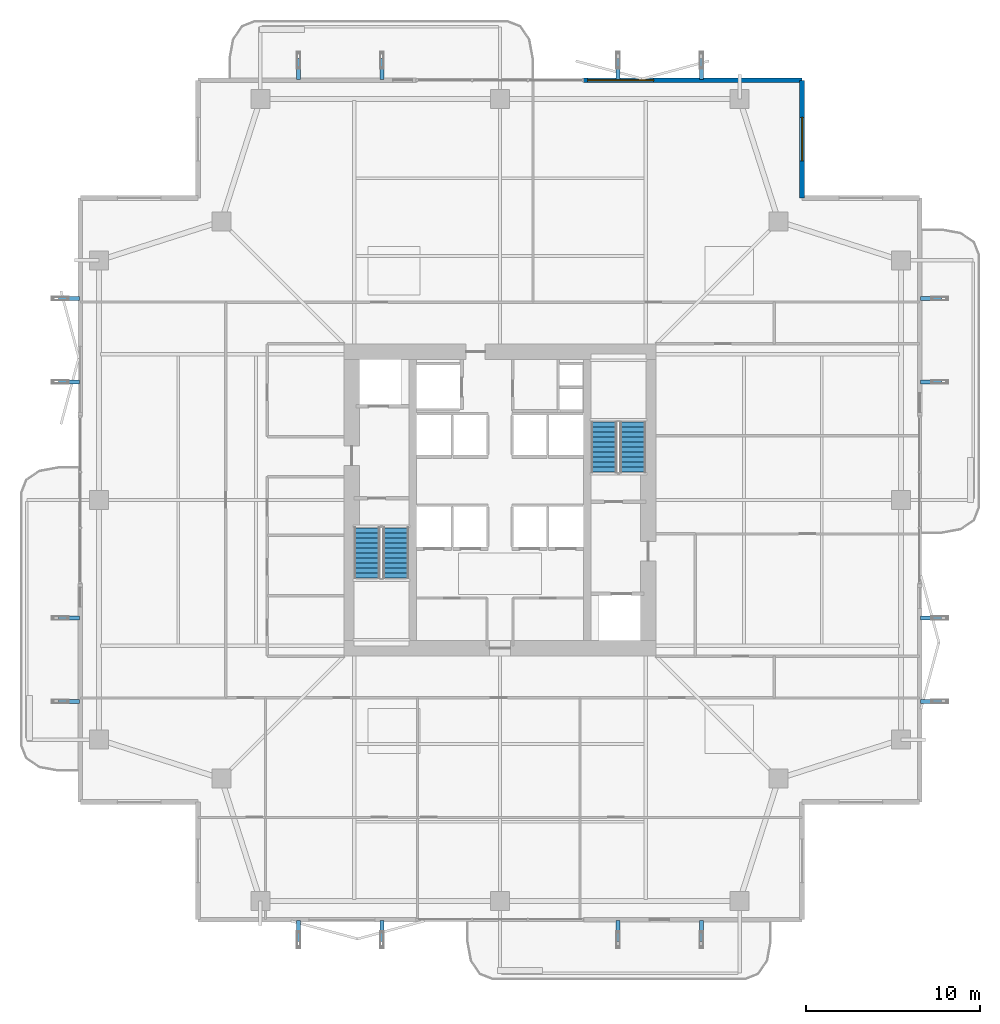
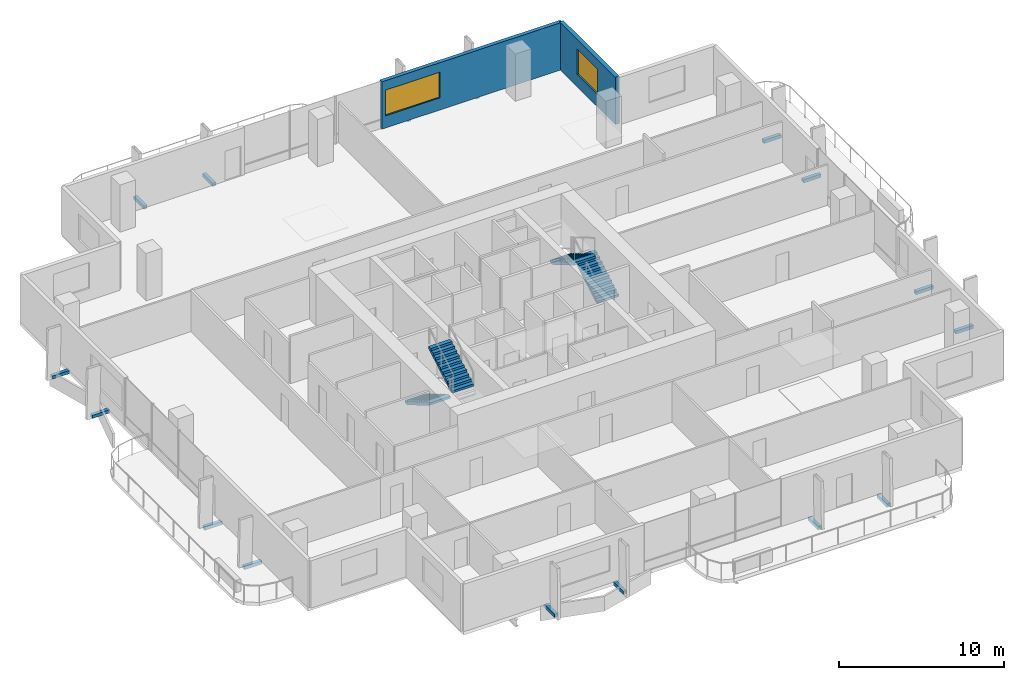
# One storey, part 21 of 24: 16 discrete accessories, 4 stair flights, 2 walls, 2 windows, 2 openings, 2 elements without a shape of their own.
"""IFC4 building model written with IfcOpenShell, lengths in metres."""

from ifc_helpers import new_model, si_unit, direction, frame, frame_2d, origin, origin_2d, place, context, subcontext, project, spatial, polyline, rectangle, outline, extrude, material, layer, layer_set, type_object, element, fill, aggregate, save


model = new_model("IFC4")

# Units and contexts
model_context = context("Model", 3, precision=1e-05, world=origin(), true_north=direction((0.0, 1.0)))
body_context = subcontext(model_context, "Body", "Model", "MODEL_VIEW")
ifc_project = project(units=[si_unit("LENGTHUNIT", "METRE"), si_unit("AREAUNIT", "SQUARE_METRE"), si_unit("VOLUMEUNIT", "CUBIC_METRE"), si_unit("PLANEANGLEUNIT", "RADIAN"), si_unit("MASSUNIT", "GRAM", prefix="KILO")], contexts=[model_context])

# Site, building, storey
site_placement = place(None, origin())
site = spatial("IfcSite", under=ifc_project, at=site_placement, CompositionType="ELEMENT")
building_placement = place(site_placement, origin())
building = spatial("IfcBuilding", under=site, at=building_placement, Name="Belovzor Exchange Tower", CompositionType="ELEMENT")
storey_placement = place(building_placement, frame((0.0, 0.0, 168.300048828125)))
storey = spatial("IfcBuildingStorey", under=building, at=storey_placement, Name="L41", CompositionType="ELEMENT", Elevation=168.300048828125)

# Wall, opening, window
ifc_material_1 = material(Name="Precast concrete C40/50", Category="concrete")
ifc_layer_1 = layer(ifc_material_1, 0.280029296875)
ifc_layer_set_1 = layer_set([ifc_layer_1], Name="Precast concrete C40/50")
wall_type_1 = type_object("IfcWallType", Name="Precast Concrete Notched Corner Frame Wall 280", PredefinedType="SOLIDWALL", material=ifc_layer_set_1)
wall_1_placement = place(storey_placement, frame((46.199951171875, 52.969970703125, 0.0), z_axis=(0.0, 0.0, 1.0), x_axis=(0.0, -1.0, 0.0)))
wall_1 = element("IfcWall", 1, at=wall_1_placement, inside=storey, type_object=wall_type_1, Name="W-CRN280 Precast Concrete Notched Corner Frame Wall 280 L41", PredefinedType="SOLIDWALL", context=body_context, shape_type="SweptSolid", body=[
    extrude(rectangle(XDim=6.77001953125, YDim=0.280029296875, at=frame_2d((3.385009765625, 0.0))), origin(), (0.0, 0.0, 1.0), 3.494873046875),
])
opening_1_placement = place(wall_1_placement, frame((2.135009765625, 0.0, 0.89990234375)))
opening_1 = element("IfcOpeningElement", 2, at=opening_1_placement, cuts=wall_1, Name="Opening WN-CRN250", PredefinedType="OPENING", context=body_context, shape_type="SweptSolid", body=[
    extrude(rectangle(XDim=2.5, YDim=1.89990234375, at=frame_2d((1.25, 0.949951171875))), frame((0.0, 0.14990234375, 0.0), z_axis=(0.0, -1.0, 0.0), x_axis=(1.0, 0.0, 0.0)), (0.0, 0.0, 1.0), 0.300048828125),
])
ifc_material_2 = material(Name="Thermally Broken Aluminium and Triple Glazing", Category="aluminium")
window_type_1 = type_object("IfcWindowType", Name="Streamline Moderne Corner Wrap Ribbon Window 2500x1900", PartitioningType="SINGLE_PANEL", PredefinedType="WINDOW", material=ifc_material_2)
window_1_placement = place(opening_1_placement, origin())
window_1 = element("IfcWindow", 3, at=window_1_placement, inside=storey, type_object=window_type_1, Name="WN-CRN250 Streamline Moderne Corner Wrap Ribbon Window 2500x1900", OverallHeight=1.89990234375, OverallWidth=2.5, PartitioningType="SINGLE_PANEL", PredefinedType="WINDOW", context=body_context, shape_type="SweptSolid", body=[
    extrude(rectangle(XDim=2.5, YDim=1.89990234375, at=frame_2d((1.25, 0.949951171875))), frame((0.0, 0.030029296875, 0.0), z_axis=(0.0, -1.0, 0.0), x_axis=(1.0, 0.0, 0.0)), (0.0, 0.0, 1.0), 0.06005859375),
])
fill(opening_1, window_1)

ifc_material_3 = material(Name="Precast concrete C40/50", Category="concrete")
ifc_layer_2 = layer(ifc_material_3, 0.260009765625)
ifc_layer_set_2 = layer_set([ifc_layer_2], Name="Precast concrete C40/50")
wall_type_2 = type_object("IfcWallType", Name="Precast Concrete Perimeter Loggia Frame Wall 260", PredefinedType="SOLIDWALL", material=ifc_layer_set_2)
wall_2_placement = place(storey_placement, frame((33.60009765625, 52.969970703125, 0.0), z_axis=(0.0, 0.0, 1.0), x_axis=(1.0, 0.0, 0.0)))
wall_2 = element("IfcWall", 4, at=wall_2_placement, inside=storey, type_object=wall_type_2, Name="W-EXT260 Precast Concrete Perimeter Loggia Frame Wall 260 L41", PredefinedType="SOLIDWALL", context=body_context, shape_type="SweptSolid", body=[
    extrude(rectangle(XDim=12.599853515625, YDim=0.260009765625, at=frame_2d((6.2998046875, 0.0))), origin(), (0.0, 0.0, 1.0), 3.494873046875),
])
opening_2_placement = place(wall_2_placement, frame((0.25, 0.0, 0.89990234375)))
opening_2 = element("IfcOpeningElement", 5, at=opening_2_placement, cuts=wall_2, Name="Opening WN-RIB380", PredefinedType="OPENING", context=body_context, shape_type="SweptSolid", body=[
    extrude(rectangle(XDim=3.800048828125, YDim=1.89990234375, at=frame_2d((1.89990234375, 0.949951171875))), frame((0.0, 0.139892578125, 0.0), z_axis=(0.0, -1.0, 0.0), x_axis=(1.0, 0.0, 0.0)), (0.0, 0.0, 1.0), 0.280029296875),
])
ifc_material_4 = material(Name="Thermally Broken Aluminium and Triple Glazing", Category="aluminium")
window_type_2 = type_object("IfcWindowType", Name="Streamline Moderne Horizontal Ribbon Window 3800x1900", PartitioningType="SINGLE_PANEL", PredefinedType="WINDOW", material=ifc_material_4)
window_2_placement = place(opening_2_placement, origin())
window_2 = element("IfcWindow", 6, at=window_2_placement, inside=storey, type_object=window_type_2, Name="WN-RIB380 Streamline Moderne Horizontal Ribbon Window 3800x1900", OverallHeight=1.89990234375, OverallWidth=3.800048828125, PartitioningType="SINGLE_PANEL", PredefinedType="WINDOW", context=body_context, shape_type="SweptSolid", body=[
    extrude(rectangle(XDim=3.800048828125, YDim=1.89990234375, at=frame_2d((1.89990234375, 0.949951171875))), frame((0.0, 0.030029296875, 0.0), z_axis=(0.0, -1.0, 0.0), x_axis=(1.0, 0.0, 0.0)), (0.0, 0.0, 1.0), 0.06005859375),
])
fill(opening_2, window_2)

# Stair, stair flights
ifc_material_5 = material(Name="Concrete C40/50", Category="concrete")
stair_type = type_object("IfcStairType", Name="Reinforced Concrete Dogleg Escape Stair 1350", PredefinedType="HALF_TURN_STAIR", material=ifc_material_5)
stair_1_placement = place(storey_placement, origin())
stair_1 = element("IfcStair", 7, at=stair_1_placement, inside=storey, type_object=stair_type, Name="L41 ST-1", PredefinedType="HALF_TURN_STAIR")
ifc_material_6 = material(Name="Concrete C40/50", Category="concrete")
stair_flight_type = type_object("IfcStairFlightType", Name="Reinforced Concrete Stair Flight 1350", PredefinedType="STRAIGHT", material=ifc_material_6)
stair_flight_1_placement = place(storey_placement, frame((21.14990234375, 27.199951171875, 0.0), z_axis=(0.0, 0.0, 1.0), x_axis=(0.0, -1.0, 0.0)))
stair_flight_1 = element("IfcStairFlight", 8, at=stair_flight_1_placement, type_object=stair_flight_type, Name="ST-1 flight 1", NumberOfRisers=11, NumberOfTreads=10, PredefinedType="STRAIGHT", RiserHeight=0.170454545, TreadLength=0.29, context=body_context, shape_type="SweptSolid", body=[
    extrude(outline(polyline([(0.0, 0.0), (0.0, 0.17041015625), (0.2900390625, 0.17041015625), (0.2900390625, 0.3408203125), (0.580078125, 0.3408203125), (0.580078125, 0.511474609375), (0.8701171875, 0.511474609375), (0.8701171875, 0.681884765625), (1.159912109375, 0.681884765625), (1.159912109375, 0.852294921875), (1.449951171875, 0.852294921875), (1.449951171875, 1.022705078125), (1.739990234375, 1.022705078125), (1.739990234375, 1.193115234375), (2.030029296875, 1.193115234375), (2.030029296875, 1.363525390625), (2.320068359375, 1.363525390625), (2.320068359375, 1.5341796875), (2.610107421875, 1.5341796875), (2.610107421875, 1.70458984375), (2.89990234375, 1.70458984375), (2.89990234375, 1.875), (2.89990234375, 1.53076171875), (0.2958984375, 0.0), (0.0, 0.0)])), frame((0.0, 0.75, 0.0), z_axis=(0.0, -1.0, 0.0), x_axis=(1.0, 0.0, 0.0)), (0.0, 0.0, 1.0), 1.5),
])
stair_flight_2_placement = place(storey_placement, frame((22.800048828125, 24.300048828125, 1.875), z_axis=(0.0, 0.0, 1.0), x_axis=(0.0, 1.0, 0.0)))
stair_flight_2 = element("IfcStairFlight", 9, at=stair_flight_2_placement, type_object=stair_flight_type, Name="ST-1 flight 2", NumberOfRisers=11, NumberOfTreads=10, PredefinedType="STRAIGHT", RiserHeight=0.170454545, TreadLength=0.29, context=body_context, shape_type="SweptSolid", body=[
    extrude(outline(polyline([(0.0, 0.0), (0.0, 0.17041015625), (0.2900390625, 0.17041015625), (0.2900390625, 0.3408203125), (0.580078125, 0.3408203125), (0.580078125, 0.511474609375), (0.8701171875, 0.511474609375), (0.8701171875, 0.681884765625), (1.159912109375, 0.681884765625), (1.159912109375, 0.852294921875), (1.449951171875, 0.852294921875), (1.449951171875, 1.022705078125), (1.739990234375, 1.022705078125), (1.739990234375, 1.193115234375), (2.030029296875, 1.193115234375), (2.030029296875, 1.363525390625), (2.320068359375, 1.363525390625), (2.320068359375, 1.5341796875), (2.610107421875, 1.5341796875), (2.610107421875, 1.70458984375), (2.89990234375, 1.70458984375), (2.89990234375, 1.875), (2.89990234375, 1.53076171875), (0.2958984375, 0.0), (0.0, 0.0)])), frame((0.0, 0.75, 0.0), z_axis=(0.0, -1.0, 0.0), x_axis=(1.0, 0.0, 0.0)), (0.0, 0.0, 1.0), 1.5),
])
aggregate(stair_1, [stair_flight_1, stair_flight_2])

stair_2_placement = place(storey_placement, origin())
stair_2 = element("IfcStair", 10, at=stair_2_placement, inside=storey, type_object=stair_type, Name="L41 ST-2", PredefinedType="HALF_TURN_STAIR")
stair_flight_3_placement = place(storey_placement, frame((36.449951171875, 30.39990234375, 0.0), z_axis=(0.0, 0.0, 1.0), x_axis=(0.0, 1.0, 0.0)))
stair_flight_3 = element("IfcStairFlight", 11, at=stair_flight_3_placement, type_object=stair_flight_type, Name="ST-2 flight 1", NumberOfRisers=11, NumberOfTreads=10, PredefinedType="STRAIGHT", RiserHeight=0.170454545, TreadLength=0.29, context=body_context, shape_type="SweptSolid", body=[
    extrude(outline(polyline([(0.0, 0.0), (0.0, 0.17041015625), (0.2900390625, 0.17041015625), (0.2900390625, 0.3408203125), (0.580078125, 0.3408203125), (0.580078125, 0.511474609375), (0.8701171875, 0.511474609375), (0.8701171875, 0.681884765625), (1.159912109375, 0.681884765625), (1.159912109375, 0.852294921875), (1.449951171875, 0.852294921875), (1.449951171875, 1.022705078125), (1.739990234375, 1.022705078125), (1.739990234375, 1.193115234375), (2.030029296875, 1.193115234375), (2.030029296875, 1.363525390625), (2.320068359375, 1.363525390625), (2.320068359375, 1.5341796875), (2.610107421875, 1.5341796875), (2.610107421875, 1.70458984375), (2.89990234375, 1.70458984375), (2.89990234375, 1.875), (2.89990234375, 1.53076171875), (0.2958984375, 0.0), (0.0, 0.0)])), frame((0.0, 0.75, 0.0), z_axis=(0.0, -1.0, 0.0), x_axis=(1.0, 0.0, 0.0)), (0.0, 0.0, 1.0), 1.5),
])
stair_flight_4_placement = place(storey_placement, frame((34.800048828125, 33.300048828125, 1.875), z_axis=(0.0, 0.0, 1.0), x_axis=(0.0, -1.0, 0.0)))
stair_flight_4 = element("IfcStairFlight", 12, at=stair_flight_4_placement, type_object=stair_flight_type, Name="ST-2 flight 2", NumberOfRisers=11, NumberOfTreads=10, PredefinedType="STRAIGHT", RiserHeight=0.170454545, TreadLength=0.29, context=body_context, shape_type="SweptSolid", body=[
    extrude(outline(polyline([(0.0, 0.0), (0.0, 0.17041015625), (0.2900390625, 0.17041015625), (0.2900390625, 0.3408203125), (0.580078125, 0.3408203125), (0.580078125, 0.511474609375), (0.8701171875, 0.511474609375), (0.8701171875, 0.681884765625), (1.159912109375, 0.681884765625), (1.159912109375, 0.852294921875), (1.449951171875, 0.852294921875), (1.449951171875, 1.022705078125), (1.739990234375, 1.022705078125), (1.739990234375, 1.193115234375), (2.030029296875, 1.193115234375), (2.030029296875, 1.363525390625), (2.320068359375, 1.363525390625), (2.320068359375, 1.5341796875), (2.610107421875, 1.5341796875), (2.610107421875, 1.70458984375), (2.89990234375, 1.70458984375), (2.89990234375, 1.875), (2.89990234375, 1.53076171875), (0.2958984375, 0.0), (0.0, 0.0)])), frame((0.0, 0.75, 0.0), z_axis=(0.0, -1.0, 0.0), x_axis=(1.0, 0.0, 0.0)), (0.0, 0.0, 1.0), 1.5),
])
aggregate(stair_2, [stair_flight_3, stair_flight_4])

# Discrete accessories
ifc_material_7 = material(Name="Stainless Steel Grade 316", Category="steel")
ifc_layer_3 = layer(ifc_material_7, 0.179931640625)
ifc_layer_set_3 = layer_set([ifc_layer_3], Name="Stainless Steel Grade 316")
discrete_accessory_type = type_object("IfcDiscreteAccessoryType", Name="Stainless Steel Facade Outrigger Fixing Bracket", PredefinedType="BRACKET", material=ifc_layer_set_3)
for number, where, z_axis, x_axis, name in (
    (13, (17.199951171875, 3.969970703125, -0.2470703125), (0.0, 0.0, 1.0), (0.0, 1.0, 0.0), "BRK-FIN1 Sweeping Fin Outrigger Bracket L41 S1"),
    (14, (17.199951171875, 53.6298828125, -0.2470703125), (0.0, 0.0, 1.0), (0.0, 1.0, 0.0), "BRK-FIN1 Sweeping Fin Outrigger Bracket L41 N1"),
    (15, (3.969970703125, 17.199951171875, -0.2470703125), (0.0, 0.0, 1.0), (1.0, 0.0, 0.0), "BRK-FIN1 Sweeping Fin Outrigger Bracket L41 W1"),
    (16, (53.6298828125, 17.199951171875, -0.2470703125), (0.0, 0.0, 1.0), (1.0, 0.0, 0.0), "BRK-FIN1 Sweeping Fin Outrigger Bracket L41 E1"),
    (17, (22.0, 3.969970703125, -0.2470703125), (0.0, 0.0, 1.0), (0.0, 1.0, 0.0), "BRK-FIN1 Sweeping Fin Outrigger Bracket L41 S2"),
    (18, (22.0, 53.6298828125, -0.2470703125), (0.0, 0.0, 1.0), (0.0, 1.0, 0.0), "BRK-FIN1 Sweeping Fin Outrigger Bracket L41 N2"),
    (19, (3.969970703125, 22.0, -0.2470703125), (0.0, 0.0, 1.0), (1.0, 0.0, 0.0), "BRK-FIN1 Sweeping Fin Outrigger Bracket L41 W2"),
    (20, (53.6298828125, 22.0, -0.2470703125), (0.0, 0.0, 1.0), (1.0, 0.0, 0.0), "BRK-FIN1 Sweeping Fin Outrigger Bracket L41 E2"),
    (21, (35.60009765625, 3.969970703125, -0.2470703125), (0.0, 0.0, 1.0), (0.0, 1.0, 0.0), "BRK-FIN1 Sweeping Fin Outrigger Bracket L41 S3"),
    (22, (35.60009765625, 53.6298828125, -0.2470703125), (0.0, 0.0, 1.0), (0.0, 1.0, 0.0), "BRK-FIN1 Sweeping Fin Outrigger Bracket L41 N3"),
    (23, (3.969970703125, 35.60009765625, -0.2470703125), (0.0, 0.0, 1.0), (1.0, 0.0, 0.0), "BRK-FIN1 Sweeping Fin Outrigger Bracket L41 W3"),
    (24, (53.6298828125, 35.60009765625, -0.2470703125), (0.0, 0.0, 1.0), (1.0, 0.0, 0.0), "BRK-FIN1 Sweeping Fin Outrigger Bracket L41 E3"),
    (25, (40.39990234375, 3.969970703125, -0.2470703125), (0.0, 0.0, 1.0), (0.0, 1.0, 0.0), "BRK-FIN1 Sweeping Fin Outrigger Bracket L41 S4"),
    (26, (40.39990234375, 53.6298828125, -0.2470703125), (0.0, 0.0, 1.0), (0.0, 1.0, 0.0), "BRK-FIN1 Sweeping Fin Outrigger Bracket L41 N4"),
    (27, (3.969970703125, 40.39990234375, -0.2470703125), (0.0, 0.0, 1.0), (1.0, 0.0, 0.0), "BRK-FIN1 Sweeping Fin Outrigger Bracket L41 W4"),
    (28, (53.6298828125, 40.39990234375, -0.2470703125), (0.0, 0.0, 1.0), (1.0, 0.0, 0.0), "BRK-FIN1 Sweeping Fin Outrigger Bracket L41 E4"),
):
    element("IfcDiscreteAccessory", number, at=place(storey_placement, frame(where, z_axis=z_axis, x_axis=x_axis)), inside=storey, type_object=discrete_accessory_type, Name=name, PredefinedType="BRACKET", context=body_context, shape_type="SweptSolid", body=[
        extrude(rectangle(XDim=1.219970703125, YDim=0.239990234375, at=origin_2d()), origin(), (0.0, 0.0, 1.0), 0.239990234375),
    ])

save(model, "model.ifc")
